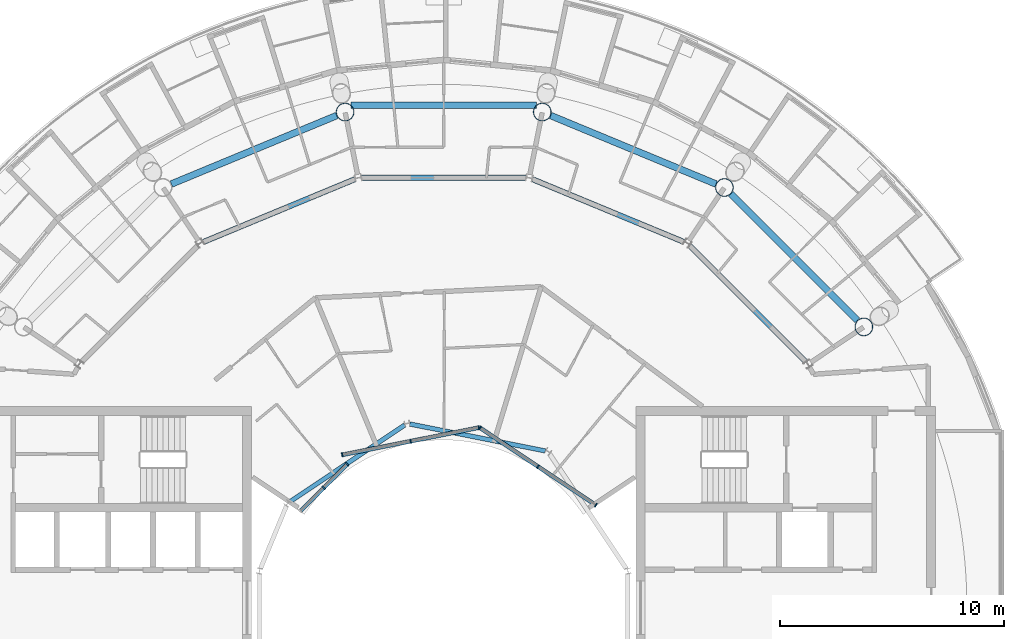
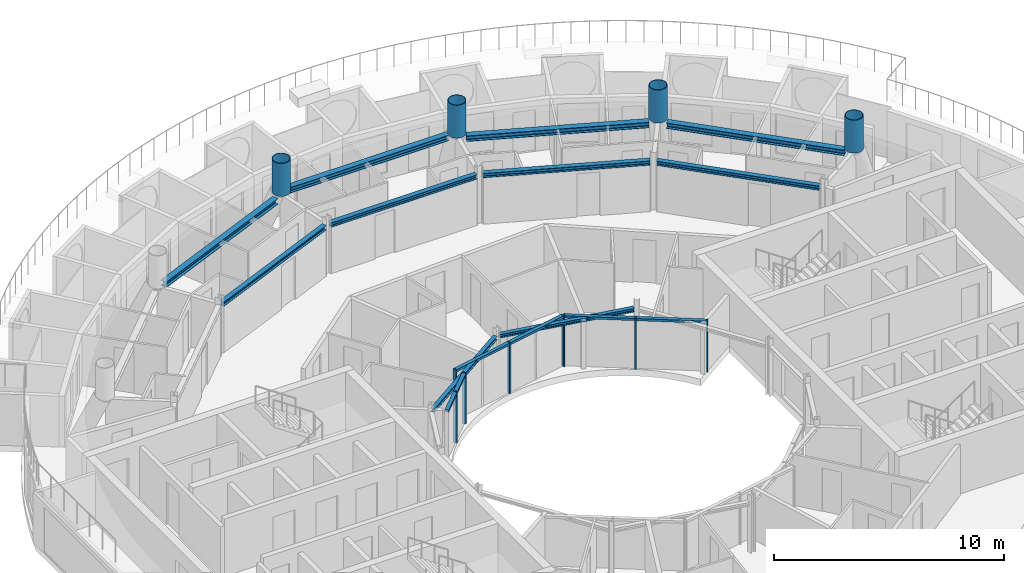
# One storey, part 8 of 25: 18 members, 10 beams, 3 elements without a shape of their own.
"""IFC4 building model written with IfcOpenShell, lengths in metres."""

from ifc_helpers import new_model, si_unit, direction, frame, origin, origin_2d, place, context, subcontext, project, spatial, rectangle, hollow_circle, i_section, extrude, material, layer, layer_set, material_profile, profile_set, type_object, element, aggregate, save


model = new_model("IFC4")

# Units and contexts
model_context = context("Model", 3, precision=1e-05, world=origin(), true_north=direction((0.0, 1.0)))
body_context = subcontext(model_context, "Body", "Model", "MODEL_VIEW")
ifc_project = project(units=[si_unit("LENGTHUNIT", "METRE"), si_unit("AREAUNIT", "SQUARE_METRE"), si_unit("VOLUMEUNIT", "CUBIC_METRE"), si_unit("PLANEANGLEUNIT", "RADIAN"), si_unit("MASSUNIT", "GRAM", prefix="KILO")], contexts=[model_context])

# Site, building, storey
site_placement = place(None, origin())
site = spatial("IfcSite", under=ifc_project, at=site_placement, CompositionType="ELEMENT")
building_placement = place(site_placement, origin())
building = spatial("IfcBuilding", under=site, at=building_placement, Name="Maasbend Ring Residences", CompositionType="ELEMENT")
storey_placement = place(building_placement, frame((0.0, 0.0, 246.25)))
storey = spatial("IfcBuildingStorey", under=building, at=storey_placement, Name="L71", CompositionType="ELEMENT", Elevation=246.25)

# Curtain wall, members
ifc_material_1 = material(Name="Aluminium and clear glass", Category="aluminium")
ifc_layer = layer(ifc_material_1, 0.179931640625)
ifc_layer_set = layer_set([ifc_layer], Name="CW-W")
curtain_wall_type = type_object("IfcCurtainWallType", Name="CW-W", PredefinedType="NOTDEFINED", material=ifc_layer_set)
curtain_wall_1_placement = place(storey_placement, origin())
curtain_wall_1 = element("IfcCurtainWall", 1, at=curtain_wall_1_placement, inside=storey, type_object=curtain_wall_type, Name="Well curtain wall N1", PredefinedType="NOTDEFINED")
ifc_material_2 = material(Name="Aluminium 6063-T6", Category="aluminium")
ifc_material_profile_1 = material_profile(ifc_material_2, rectangle(XDim=0.179931640625, YDim=0.06005859375, at=origin_2d()), Name="AL 180x60")
ifc_profile_set_1 = profile_set([ifc_material_profile_1], Name="Aluminium 6063-T6")
member_type_1 = type_object("IfcMemberType", Name="CWM-W", PredefinedType="MULLION", material=ifc_profile_set_1)
member_1_placement = place(storey_placement, frame((6.805908203125, 4.580810546875, 0.0), z_axis=(0.0, 0.0, 1.0), x_axis=(-0.55557023302, -0.831469612303, 0.0)))
member_1 = element("IfcMember", 2, at=member_1_placement, type_object=member_type_1, Name="Mullion well face", PredefinedType="MULLION", context=body_context, shape_type="SweptSolid", body=[
    extrude(rectangle(XDim=0.179931640625, YDim=0.06005859375, at=origin_2d()), origin(), (0.0, 0.0, 1.0), 2.699951171875),
])
member_2_placement = place(storey_placement, frame((4.216796875, 6.310791015625, 0.0), z_axis=(0.0, 0.0, 1.0), x_axis=(-0.55557023302, -0.831469612303, 0.0)))
member_2 = element("IfcMember", 3, at=member_2_placement, type_object=member_type_1, Name="Mullion well face", PredefinedType="MULLION", context=body_context, shape_type="SweptSolid", body=[
    extrude(rectangle(XDim=0.179931640625, YDim=0.06005859375, at=origin_2d()), origin(), (0.0, 0.0, 1.0), 2.699951171875),
])
member_3_placement = place(storey_placement, frame((1.627685546875, 8.040771484375, 0.0), z_axis=(0.0, 0.0, 1.0), x_axis=(-0.55557023302, -0.831469612303, 0.0)))
member_3 = element("IfcMember", 4, at=member_3_placement, type_object=member_type_1, Name="Mullion well face", PredefinedType="MULLION", context=body_context, shape_type="SweptSolid", body=[
    extrude(rectangle(XDim=0.179931640625, YDim=0.06005859375, at=origin_2d()), origin(), (0.0, 0.0, 1.0), 2.699951171875),
])

curtain_wall_2_placement = place(storey_placement, origin())
curtain_wall_2 = element("IfcCurtainWall", 5, at=curtain_wall_2_placement, inside=storey, type_object=curtain_wall_type, Name="Well curtain wall N2", PredefinedType="NOTDEFINED")
member_4_placement = place(storey_placement, frame((1.5732421875, 8.0517578125, 0.0), z_axis=(0.0, 0.0, 1.0), x_axis=(0.195090322016, -0.980785280403, 0.0)))
member_4 = element("IfcMember", 6, at=member_4_placement, type_object=member_type_1, Name="Mullion well face", PredefinedType="MULLION", context=body_context, shape_type="SweptSolid", body=[
    extrude(rectangle(XDim=0.179931640625, YDim=0.06005859375, at=origin_2d()), origin(), (0.0, 0.0, 1.0), 2.699951171875),
])
member_5_placement = place(storey_placement, frame((-1.480712890625, 7.444091796875, 0.0), z_axis=(0.0, 0.0, 1.0), x_axis=(0.195090322016, -0.980785280403, 0.0)))
member_5 = element("IfcMember", 7, at=member_5_placement, type_object=member_type_1, Name="Mullion well face", PredefinedType="MULLION", context=body_context, shape_type="SweptSolid", body=[
    extrude(rectangle(XDim=0.179931640625, YDim=0.06005859375, at=origin_2d()), origin(), (0.0, 0.0, 1.0), 2.699951171875),
])
member_6_placement = place(storey_placement, frame((-4.53466796875, 6.836669921875, 0.0), z_axis=(0.0, 0.0, 1.0), x_axis=(0.195090322016, -0.980785280403, 0.0)))
member_6 = element("IfcMember", 8, at=member_6_placement, type_object=member_type_1, Name="Mullion well face", PredefinedType="MULLION", context=body_context, shape_type="SweptSolid", body=[
    extrude(rectangle(XDim=0.179931640625, YDim=0.06005859375, at=origin_2d()), origin(), (0.0, 0.0, 1.0), 2.699951171875),
])

curtain_wall_3_placement = place(storey_placement, origin())
curtain_wall_3 = element("IfcCurtainWall", 9, at=curtain_wall_3_placement, inside=storey, type_object=curtain_wall_type, Name="Well curtain wall N3", PredefinedType="NOTDEFINED")
member_7_placement = place(storey_placement, frame((-4.320556640625, 6.413330078125, 0.0), z_axis=(0.0, 0.0, 1.0), x_axis=(0.707106781187, -0.707106781187, 0.0)))
member_7 = element("IfcMember", 10, at=member_7_placement, type_object=member_type_1, Name="Mullion well face", PredefinedType="MULLION", context=body_context, shape_type="SweptSolid", body=[
    extrude(rectangle(XDim=0.179931640625, YDim=0.06005859375, at=origin_2d()), origin(), (0.0, 0.0, 1.0), 2.699951171875),
])
member_8_placement = place(storey_placement, frame((-5.366943359375, 5.366943359375, 0.0), z_axis=(0.0, 0.0, 1.0), x_axis=(0.707106781187, -0.707106781187, 0.0)))
member_8 = element("IfcMember", 11, at=member_8_placement, type_object=member_type_1, Name="Mullion well face", PredefinedType="MULLION", context=body_context, shape_type="SweptSolid", body=[
    extrude(rectangle(XDim=0.179931640625, YDim=0.06005859375, at=origin_2d()), origin(), (0.0, 0.0, 1.0), 2.699951171875),
])

# Member
ifc_material_3 = material(Name="Aluminium 6063-T6", Category="aluminium")
ifc_material_profile_2 = material_profile(ifc_material_3, rectangle(XDim=0.179931640625, YDim=0.1201171875, at=origin_2d()), Name="AL 180x120")
ifc_profile_set_2 = profile_set([ifc_material_profile_2], Name="Aluminium 6063-T6")
member_type_2 = type_object("IfcMemberType", Name="CWT-W", PredefinedType="USERDEFINED", material=ifc_profile_set_2)
member_9_placement = place(storey_placement, frame((6.781005859375, 4.59765625, 2.639892578125), z_axis=(-0.831496422459, 0.555530106689, 0.0), x_axis=(-0.555530106689, -0.831496422459, 0.0)))
member_9 = element("IfcMember", 12, at=member_9_placement, type_object=member_type_2, Name="Transom well face", ObjectType="TRANSOM", PredefinedType="USERDEFINED", context=body_context, shape_type="SweptSolid", body=[
    extrude(rectangle(XDim=0.179931640625, YDim=0.1201171875, at=origin_2d()), origin(), (0.0, 0.0, 1.0), 3.053955078125),
])

member_10_placement = place(storey_placement, frame((4.19189453125, 6.32763671875, 2.639892578125), z_axis=(-0.831496422459, 0.555530106689, 0.0), x_axis=(-0.555530106689, -0.831496422459, 0.0)))
member_10 = element("IfcMember", 13, at=member_10_placement, type_object=member_type_2, Name="Transom well face", ObjectType="TRANSOM", PredefinedType="USERDEFINED", context=body_context, shape_type="SweptSolid", body=[
    extrude(rectangle(XDim=0.179931640625, YDim=0.1201171875, at=origin_2d()), origin(), (0.0, 0.0, 1.0), 3.053955078125),
])

aggregate(curtain_wall_1, [member_1, member_2, member_3, member_9, member_10])

member_11_placement = place(storey_placement, frame((1.5439453125, 8.0458984375, 2.639892578125), z_axis=(-0.980776956105, -0.195132166424, 0.0), x_axis=(0.195132166424, -0.980776956105, 0.0)))
member_11 = element("IfcMember", 14, at=member_11_placement, type_object=member_type_2, Name="Transom well face", ObjectType="TRANSOM", PredefinedType="USERDEFINED", context=body_context, shape_type="SweptSolid", body=[
    extrude(rectangle(XDim=0.179931640625, YDim=0.1201171875, at=origin_2d()), origin(), (0.0, 0.0, 1.0), 3.053955078125),
])

member_12_placement = place(storey_placement, frame((-1.51025390625, 7.438232421875, 2.639892578125), z_axis=(-0.980789210404, -0.19507056353, 0.0), x_axis=(0.19507056353, -0.980789210404, 0.0)))
member_12 = element("IfcMember", 15, at=member_12_placement, type_object=member_type_2, Name="Transom well face", ObjectType="TRANSOM", PredefinedType="USERDEFINED", context=body_context, shape_type="SweptSolid", body=[
    extrude(rectangle(XDim=0.179931640625, YDim=0.1201171875, at=origin_2d()), origin(), (0.0, 0.0, 1.0), 3.0537109375),
])

aggregate(curtain_wall_2, [member_4, member_5, member_6, member_11, member_12])

member_13_placement = place(storey_placement, frame((-4.341796875, 6.39208984375, 2.639892578125), z_axis=(-0.707106781187, -0.707106781187, 0.0), x_axis=(0.707106781187, -0.707106781187, 0.0)))
member_13 = element("IfcMember", 16, at=member_13_placement, type_object=member_type_2, Name="Transom well face", ObjectType="TRANSOM", PredefinedType="USERDEFINED", context=body_context, shape_type="SweptSolid", body=[
    extrude(rectangle(XDim=0.179931640625, YDim=0.1201171875, at=origin_2d()), origin(), (0.0, 0.0, 1.0), 1.419677734375),
])

member_14_placement = place(storey_placement, frame((-5.38818359375, 5.345703125, 2.639892578125), z_axis=(-0.707106781187, -0.707106781187, 0.0), x_axis=(0.707106781187, -0.707106781187, 0.0)))
member_14 = element("IfcMember", 17, at=member_14_placement, type_object=member_type_2, Name="Transom well face", ObjectType="TRANSOM", PredefinedType="USERDEFINED", context=body_context, shape_type="SweptSolid", body=[
    extrude(rectangle(XDim=0.179931640625, YDim=0.1201171875, at=origin_2d()), origin(), (0.0, 0.0, 1.0), 1.419677734375),
])

aggregate(curtain_wall_3, [member_7, member_8, member_13, member_14])

# Members
ifc_material_4 = material(Name="Steel S460NH", Category="steel")
ifc_material_profile_3 = material_profile(ifc_material_4, hollow_circle(Radius=0.406494140625, WallThickness=0.030029296875, at=origin_2d()), Name="Column node insert CHS 813x30")
ifc_profile_set_3 = profile_set([ifc_material_profile_3], Name="Steel S460NH")
member_type_3 = type_object("IfcMemberType", Name="Column node insert CHS 813x30", PredefinedType="POST", material=ifc_profile_set_3)
for number, where, z_axis, x_axis, name in (
    (18, (18.791259765625, 12.555908203125, 2.80029296875), (0.0, 0.0, 1.0), (1.0, 0.0, 0.0), "Column node insert R2"),
    (19, (12.555908203125, 18.791259765625, 2.80029296875), (0.0, 0.0, 1.0), (1.0, 0.0, 0.0), "Column node insert R3"),
    (20, (4.408935546875, 22.165771484375, 2.80029296875), (0.0, 0.0, 1.0), (1.0, 0.0, 0.0), "Column node insert R4"),
    (21, (-4.408935546875, 22.165771484375, 2.80029296875), (0.0, 0.0, 1.0), (1.0, 0.0, 0.0), "Column node insert R5"),
):
    element("IfcMember", number, at=place(storey_placement, frame(where, z_axis=z_axis, x_axis=x_axis)), inside=storey, type_object=member_type_3, Name=name, PredefinedType="POST", context=body_context, shape_type="SweptSolid", body=[
        extrude(hollow_circle(Radius=0.406494140625, WallThickness=0.030029296875, at=origin_2d()), origin(), (0.0, 0.0, 1.0), 1.749755859375),
    ])

# Beams
ifc_material_5 = material(Name="Steel S355J2", Category="steel")
ifc_material_profile_4 = material_profile(ifc_material_5, i_section(OverallWidth=0.239990234375, OverallDepth=0.22998046875, WebThickness=0.007568359375, FlangeThickness=0.011962890625, FilletRadius=0.02099609375, at=origin_2d()), Name="HEA 240")
ifc_profile_set_4 = profile_set([ifc_material_profile_4], Name="Steel S355J2")
beam_type_1 = type_object("IfcBeamType", Name="Corridor ring beam HEA 240", PredefinedType="BEAM", material=ifc_profile_set_4)
beam_1_placement = place(storey_placement, frame((16.188720703125, 10.997314453125, 2.5849609375), z_axis=(-0.707106781187, 0.707106781187, 0.0), x_axis=(-0.707106781187, -0.707106781187, 0.0)))
element("IfcBeam", 22, at=beam_1_placement, inside=storey, type_object=beam_type_1, Name="Corridor ring beam", PredefinedType="BEAM", context=body_context, shape_type="SweptSolid", body=[
    extrude(i_section(OverallWidth=0.239990234375, OverallDepth=0.22998046875, WebThickness=0.007568359375, FlangeThickness=0.011962890625, FilletRadius=0.02099609375, at=origin_2d()), origin(), (0.0, 0.0, 1.0), 7.341796875),
])
beam_2_placement = place(storey_placement, frame((10.747802734375, 16.355224609375, 2.5849609375), z_axis=(-0.923875784142, 0.382692481603, 0.0), x_axis=(-0.382692481603, -0.923875784142, 0.0)))
element("IfcBeam", 23, at=beam_2_placement, inside=storey, type_object=beam_type_1, Name="Corridor ring beam", PredefinedType="BEAM", context=body_context, shape_type="SweptSolid", body=[
    extrude(i_section(OverallWidth=0.239990234375, OverallDepth=0.22998046875, WebThickness=0.007568359375, FlangeThickness=0.011962890625, FilletRadius=0.02099609375, at=origin_2d()), origin(), (0.0, 0.0, 1.0), 7.341552734375),
])
beam_3_placement = place(storey_placement, frame((3.6708984375, 19.223388671875, 2.5849609375), z_axis=(-1.0, 0.0, 0.0), x_axis=(0.0, -1.0, 0.0)))
element("IfcBeam", 24, at=beam_3_placement, inside=storey, type_object=beam_type_1, Name="Corridor ring beam", PredefinedType="BEAM", context=body_context, shape_type="SweptSolid", body=[
    extrude(i_section(OverallWidth=0.239990234375, OverallDepth=0.22998046875, WebThickness=0.007568359375, FlangeThickness=0.011962890625, FilletRadius=0.02099609375, at=origin_2d()), origin(), (0.0, 0.0, 1.0), 7.341796875),
])
beam_4_placement = place(storey_placement, frame((-3.965087890625, 19.164794921875, 2.5849609375), z_axis=(-0.923875784142, -0.382692481603, 0.0), x_axis=(0.382692481603, -0.923875784142, 0.0)))
element("IfcBeam", 25, at=beam_4_placement, inside=storey, type_object=beam_type_1, Name="Corridor ring beam", PredefinedType="BEAM", context=body_context, shape_type="SweptSolid", body=[
    extrude(i_section(OverallWidth=0.239990234375, OverallDepth=0.22998046875, WebThickness=0.007568359375, FlangeThickness=0.011962890625, FilletRadius=0.02099609375, at=origin_2d()), origin(), (0.0, 0.0, 1.0), 7.341552734375),
])
ifc_material_6 = material(Name="Steel S355J2", Category="steel")
ifc_material_profile_5 = material_profile(ifc_material_6, i_section(OverallWidth=0.300048828125, OverallDepth=0.300048828125, WebThickness=0.010986328125, FlangeThickness=0.01904296875, FilletRadius=0.027099609375, at=origin_2d()), Name="HEB 300")
ifc_profile_set_5 = profile_set([ifc_material_profile_5], Name="Steel S355J2")
beam_type_2 = type_object("IfcBeamType", Name="Spandrel ring beam HEB 300", PredefinedType="SPANDREL", material=ifc_profile_set_5)
beam_5_placement = place(storey_placement, frame((18.50390625, 12.84326171875, 2.550048828125), z_axis=(-0.707106781187, 0.707106781187, 0.0), x_axis=(-0.707106781187, -0.707106781187, 0.0)))
element("IfcBeam", 26, at=beam_5_placement, inside=storey, type_object=beam_type_2, Name="Spandrel ring beam", PredefinedType="SPANDREL", context=body_context, shape_type="SweptSolid", body=[
    extrude(i_section(OverallWidth=0.300048828125, OverallDepth=0.300048828125, WebThickness=0.010986328125, FlangeThickness=0.01904296875, FilletRadius=0.027099609375, at=origin_2d()), origin(), (0.0, 0.0, 1.0), 8.00537109375),
])
beam_6_placement = place(storey_placement, frame((12.180419921875, 18.94677734375, 2.550048828125), z_axis=(-0.923887850638, 0.382663350013, 0.0), x_axis=(-0.382663350013, -0.923887850638, 0.0)))
element("IfcBeam", 27, at=beam_6_placement, inside=storey, type_object=beam_type_2, Name="Spandrel ring beam", PredefinedType="SPANDREL", context=body_context, shape_type="SweptSolid", body=[
    extrude(i_section(OverallWidth=0.300048828125, OverallDepth=0.300048828125, WebThickness=0.010986328125, FlangeThickness=0.01904296875, FilletRadius=0.027099609375, at=origin_2d()), origin(), (0.0, 0.0, 1.0), 8.005126953125),
])
beam_7_placement = place(storey_placement, frame((4.152587890625, 22.4658203125, 2.550048828125), z_axis=(-1.0, 0.0, 0.0), x_axis=(0.0, -1.0, 0.0)))
element("IfcBeam", 28, at=beam_7_placement, inside=storey, type_object=beam_type_2, Name="Spandrel ring beam", PredefinedType="SPANDREL", context=body_context, shape_type="SweptSolid", body=[
    extrude(i_section(OverallWidth=0.300048828125, OverallDepth=0.300048828125, WebThickness=0.010986328125, FlangeThickness=0.01904296875, FilletRadius=0.027099609375, at=origin_2d()), origin(), (0.0, 0.0, 1.0), 8.30517578125),
])
beam_8_placement = place(storey_placement, frame((-4.78466796875, 22.010009765625, 2.550048828125), z_axis=(-0.923887850638, -0.382663350013, 0.0), x_axis=(0.382663350013, -0.923887850638, 0.0)))
element("IfcBeam", 29, at=beam_8_placement, inside=storey, type_object=beam_type_2, Name="Spandrel ring beam", PredefinedType="SPANDREL", context=body_context, shape_type="SweptSolid", body=[
    extrude(i_section(OverallWidth=0.300048828125, OverallDepth=0.300048828125, WebThickness=0.010986328125, FlangeThickness=0.01904296875, FilletRadius=0.027099609375, at=origin_2d()), origin(), (0.0, 0.0, 1.0), 8.005126953125),
])
ifc_material_7 = material(Name="Steel S355J2", Category="steel")
ifc_material_profile_6 = material_profile(ifc_material_7, i_section(OverallWidth=0.199951171875, OverallDepth=0.18994140625, WebThickness=0.006591796875, FlangeThickness=0.010009765625, FilletRadius=0.01806640625, at=origin_2d()), Name="HEA 200")
ifc_profile_set_6 = profile_set([ifc_material_profile_6], Name="Steel S355J2")
beam_type_3 = type_object("IfcBeamType", Name="Well edge beam HEA 200", PredefinedType="BEAM", material=ifc_profile_set_6)
for number, where, z_axis, x_axis, name in (
    (30, (4.544677734375, 7.008544921875, 2.60498046875), (-0.98078072474, 0.195113223486, 0.0), (-0.195113223486, -0.98078072474, 0.0), "Well edge beam"),
    (31, (-1.7421875, 8.16943359375, 2.60498046875), (-0.831484648286, -0.555547729421, 0.0), (0.555547729421, -0.831484648286, 0.0), "Well edge beam"),
):
    element("IfcBeam", number, at=place(storey_placement, frame(where, z_axis=z_axis, x_axis=x_axis)), inside=storey, type_object=beam_type_3, Name=name, PredefinedType="BEAM", context=body_context, shape_type="SweptSolid", body=[
        extrude(i_section(OverallWidth=0.199951171875, OverallDepth=0.18994140625, WebThickness=0.006591796875, FlangeThickness=0.010009765625, FilletRadius=0.01806640625, at=origin_2d()), origin(), (0.0, 0.0, 1.0), 6.18017578125),
    ])

save(model, "model.ifc")
